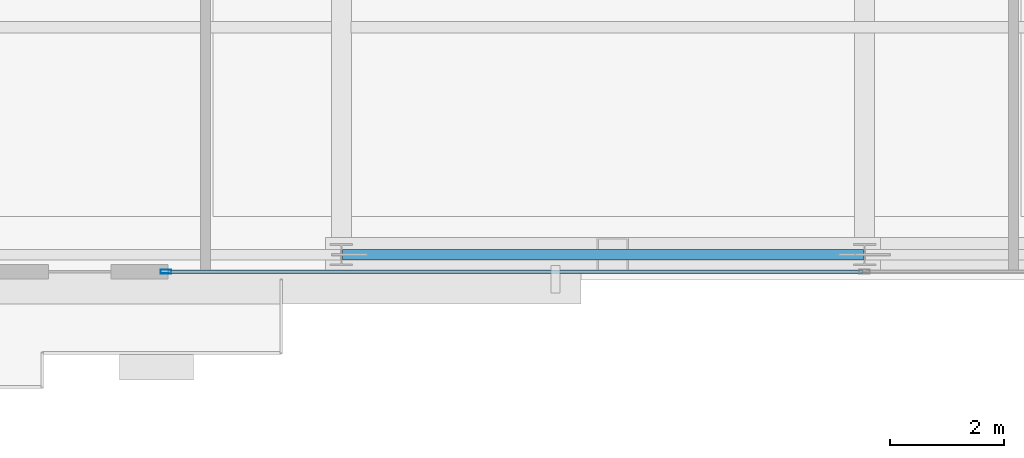
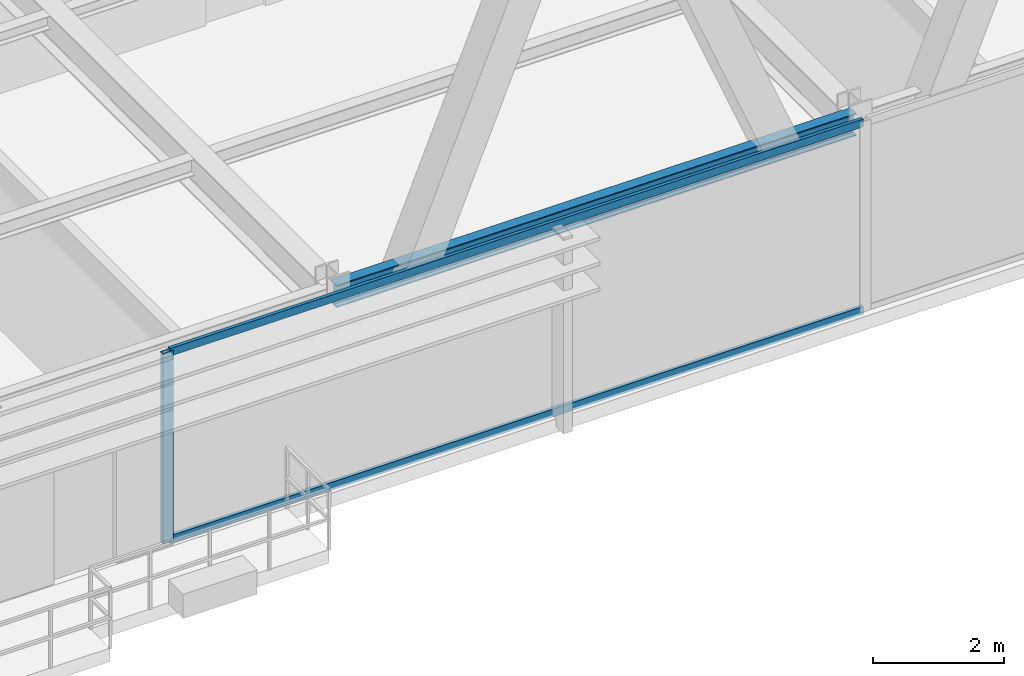
# One storey, part 6 of 38: 3 members, 1 beam, 1 element without a shape of its own.
"""IFC4 building model written with IfcOpenShell, lengths in metres."""

from ifc_helpers import new_model, si_unit, direction, frame, origin, origin_2d, place, context, subcontext, project, spatial, hollow_rectangle, i_section, extrude, source, transform, mapped, material, layer, layer_set, material_profile, profile_set, type_object, type_shapes, element, aggregate, save


model = new_model("IFC4")

# Units and contexts
model_context = context("Model", 3, precision=1e-05, world=origin(), true_north=direction((0.0, 1.0)))
body_context = subcontext(model_context, "Body", "Model", "MODEL_VIEW")
ifc_project = project(units=[si_unit("LENGTHUNIT", "METRE"), si_unit("AREAUNIT", "SQUARE_METRE"), si_unit("VOLUMEUNIT", "CUBIC_METRE"), si_unit("PLANEANGLEUNIT", "RADIAN"), si_unit("MASSUNIT", "GRAM", prefix="KILO")], contexts=[model_context])

# Site, building, storey
site_placement = place(None, origin())
site = spatial("IfcSite", under=ifc_project, at=site_placement, CompositionType="ELEMENT")
building_placement = place(site_placement, origin())
building = spatial("IfcBuilding", under=site, at=building_placement, Name="Varnel Quay Broadcast Tower", CompositionType="ELEMENT")
storey_placement = place(building_placement, frame((0.0, 0.0, 118.199951171875)))
storey = spatial("IfcBuildingStorey", under=building, at=storey_placement, Name="L28", CompositionType="ELEMENT", Elevation=118.199951171875)

# Beam
ifc_material_1 = material(Name="Structural Steel CSA G40.21 350W", Category="steel")
ifc_material_profile_1 = material_profile(ifc_material_1, i_section(OverallWidth=0.180908203125, OverallDepth=0.4169921875, WebThickness=0.010986328125, FlangeThickness=0.018310546875, FilletRadius=0.011962890625, at=origin_2d()), Name="W410X85")
ifc_profile_set_1 = profile_set([ifc_material_profile_1], Name="Structural Steel CSA G40.21 350W")
beam_type = type_object("IfcBeamType", Name="Beam_W410X85", PredefinedType="SPANDREL", material=ifc_profile_set_1)
shared_shape_1 = source(origin(), body_context, "Body", "SweptSolid", [
    extrude(i_section(OverallWidth=0.180908203125, OverallDepth=0.4169921875, WebThickness=0.010986328125, FlangeThickness=0.018310546875, FilletRadius=0.011962890625, at=origin_2d()), origin(), (0.0, 0.0, 1.0), 9.159912109375),
])
type_shapes(beam_type, [shared_shape_1])
beam_placement = place(storey_placement, frame((24.820068359375, 4.64990234375, 3.341552734375), z_axis=(1.0, 0.0, 0.0), x_axis=(0.0, 1.0, 0.0)))
element("IfcBeam", 1, at=beam_placement, inside=storey, type_object=beam_type, Name="L28 South Spandrel TC-S2-TC-S3", PredefinedType="SPANDREL", context=body_context, shape_type="MappedRepresentation", body=[
    mapped(shared_shape_1, transform((0.0, 0.0, 0.0), x_axis=(1.0, 0.0, 0.0), y_axis=(0.0, 1.0, 0.0), z_axis=(0.0, 0.0, 1.0), scale=1.0)),
])

# Curtain wall, members
ifc_material_2 = material(Name="Anodised Bronze Aluminium 6063-T6", Category="aluminium")
ifc_layer = layer(ifc_material_2, 0.18994140625, Name="Anodised Bronze Aluminium 6063-T6")
ifc_layer_set = layer_set([ifc_layer], Name="Anodised Bronze Aluminium 6063-T6")
curtain_wall_type = type_object("IfcCurtainWallType", Name="CW_LowerTower", PredefinedType="NOTDEFINED", material=ifc_layer_set)
curtain_wall_placement = place(storey_placement, origin())
curtain_wall = element("IfcCurtainWall", 2, at=curtain_wall_placement, inside=storey, type_object=curtain_wall_type, Name="L28 South Unitised Curtain Wall 2", PredefinedType="NOTDEFINED")
ifc_material_profile_2 = material_profile(ifc_material_2, hollow_rectangle(XDim=0.06005859375, YDim=0.14501953125, WallThickness=0.00341796875, at=origin_2d()), Name="ALU60X145X3.5")
ifc_profile_set_2 = profile_set([ifc_material_profile_2], Name="Anodised Bronze Aluminium 6063-T6")
member_type_1 = type_object("IfcMemberType", Name="Tran_CWS-02", PredefinedType="USERDEFINED", material=ifc_profile_set_2)
shared_shape_2 = source(origin(), body_context, "Body", "SweptSolid", [
    extrude(hollow_rectangle(XDim=0.06005859375, YDim=0.14501953125, WallThickness=0.00341796875, at=origin_2d()), origin(), (0.0, 0.0, 1.0), 12.215087890625),
])
type_shapes(member_type_1, [shared_shape_2])
member_1_placement = place(storey_placement, frame((21.75, 4.35009765625, 0.030029296875), z_axis=(1.0, 0.0, 0.0), x_axis=(0.0, 1.0, 0.0)))
member_1 = element("IfcMember", 3, at=member_1_placement, type_object=member_type_1, Name="CWS-02 transom 1.1", ObjectType="TRANSOM", PredefinedType="USERDEFINED", context=body_context, shape_type="MappedRepresentation", body=[
    mapped(shared_shape_2, transform((0.0, 0.0, 0.0), x_axis=(1.0, 0.0, 0.0), y_axis=(0.0, 1.0, 0.0), z_axis=(0.0, 0.0, 1.0), scale=1.0)),
])
member_2_placement = place(storey_placement, frame((21.75, 4.35009765625, 3.52001953125), z_axis=(1.0, 0.0, 0.0), x_axis=(0.0, 1.0, 0.0)))
member_2 = element("IfcMember", 4, at=member_2_placement, type_object=member_type_1, Name="CWS-02 transom 1.2", ObjectType="TRANSOM", PredefinedType="USERDEFINED", context=body_context, shape_type="MappedRepresentation", body=[
    mapped(shared_shape_2, transform((0.0, 0.0, 0.0), x_axis=(1.0, 0.0, 0.0), y_axis=(0.0, 1.0, 0.0), z_axis=(0.0, 0.0, 1.0), scale=1.0)),
])
ifc_material_profile_3 = material_profile(ifc_material_2, hollow_rectangle(XDim=0.070068359375, YDim=0.18994140625, WallThickness=0.00390625, at=origin_2d()), Name="ALU70X190X4")
ifc_profile_set_3 = profile_set([ifc_material_profile_3], Name="Anodised Bronze Aluminium 6063-T6")
member_type_2 = type_object("IfcMemberType", Name="Mull_CWS-02", PredefinedType="MULLION", material=ifc_profile_set_3)
shared_shape_3 = source(origin(), body_context, "Body", "SweptSolid", [
    extrude(hollow_rectangle(XDim=0.070068359375, YDim=0.18994140625, WallThickness=0.00390625, at=origin_2d()), origin(), (0.0, 0.0, 1.0), 3.550048828125),
])
type_shapes(member_type_2, [shared_shape_3])
member_3_placement = place(storey_placement, frame((21.715087890625, 4.35009765625, 0.0), z_axis=(0.0, 0.0, 1.0), x_axis=(0.0, 1.0, 0.0)))
member_3 = element("IfcMember", 5, at=member_3_placement, type_object=member_type_2, Name="CWS-02 mullion 1", PredefinedType="MULLION", context=body_context, shape_type="MappedRepresentation", body=[
    mapped(shared_shape_3, transform((0.0, 0.0, 0.0), x_axis=(1.0, 0.0, 0.0), y_axis=(0.0, 1.0, 0.0), z_axis=(0.0, 0.0, 1.0), scale=1.0)),
])
aggregate(curtain_wall, [member_3, member_1, member_2])

save(model, "model.ifc")
